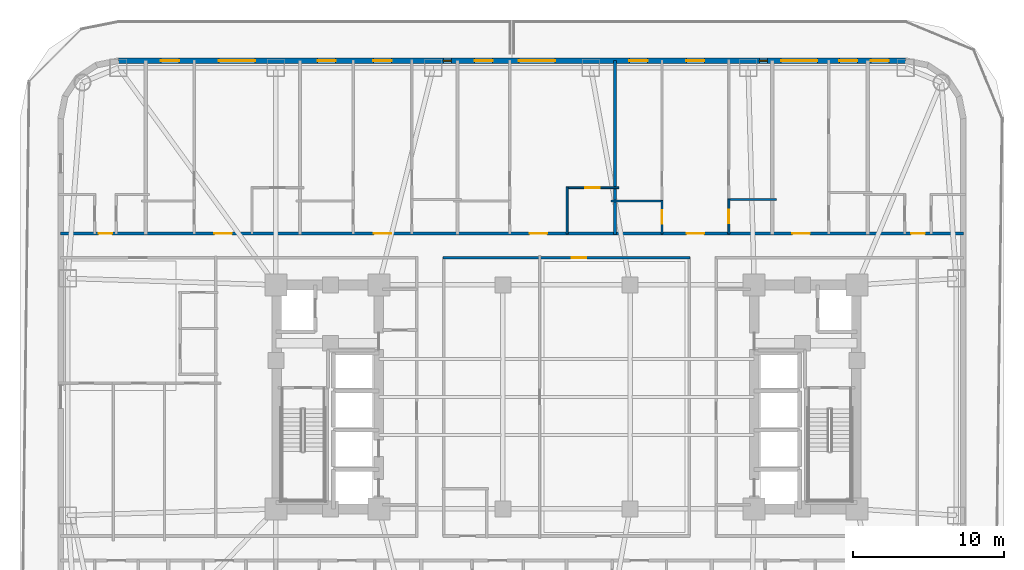
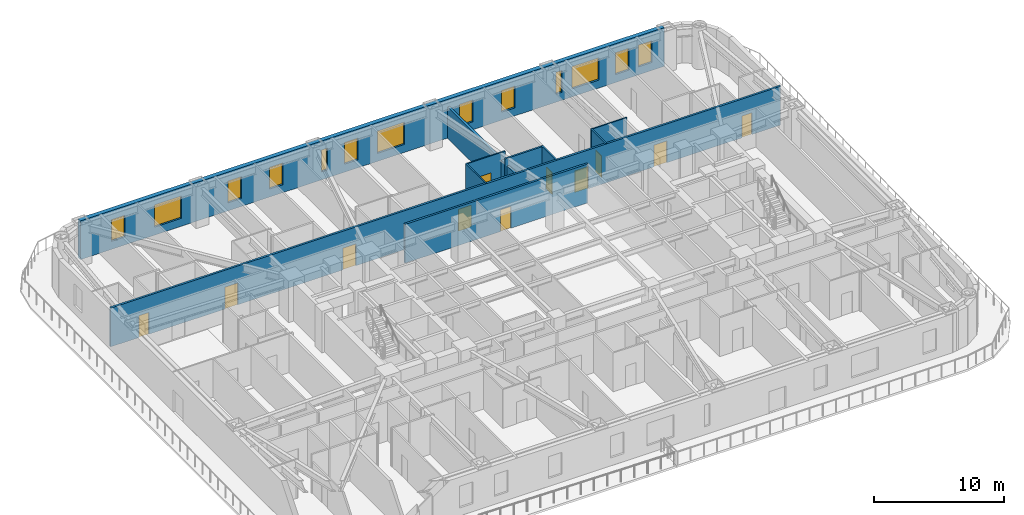
# One storey, part 8 of 14: 13 windows, 11 doors, 10 walls, 24 openings.
"""IFC4 building model written with IfcOpenShell, lengths in metres."""

import ifcopenshell
import ifcopenshell.guid

model = None  # the IFC model being written
_history = None  # IfcOwnerHistory: only IFC2X3 demands one
_inside = {}  # id of a spatial element -> (the spatial element, [elements in it])
_under = {}  # id of a project, library or spatial element -> (it, [spatial elements below it])
_declared = {}  # id of a project -> (the project, [libraries it declares])
_typed = {}  # id of a type object -> (the type object, [elements of that type])
_made_of = {}  # id of a material, layer set ... -> (it, [elements and type objects made of it])


def new_model(schema):
    """Start an empty IFC model of exactly this schema.

    Asked for "IFC4X3", IfcOpenShell would pick the latest addendum, in which some entities
    have other attributes; the version numbers below select the first issue.
    IFC2X3 requires an IfcOwnerHistory on every rooted entity: one is made here for all.
    """
    global model, _history
    if schema == "IFC4X3":
        model = ifcopenshell.file(schema_version=(4, 3, 0, 0))
    else:
        model = ifcopenshell.file(schema=schema)
    _inside.clear()
    _under.clear()
    _declared.clear()
    _typed.clear()
    _made_of.clear()
    _history = None
    if model.schema == "IFC2X3":
        org = make("IfcOrganization", Name="unknown")
        user = make(
            "IfcPersonAndOrganization",
            ThePerson=make("IfcPerson", FamilyName="unknown"),
            TheOrganization=org,
        )
        app = make(
            "IfcApplication",
            ApplicationDeveloper=org,
            Version="unknown",
            ApplicationFullName="unknown",
            ApplicationIdentifier="unknown",
        )
        _history = make(
            "IfcOwnerHistory",
            OwningUser=user,
            OwningApplication=app,
            ChangeAction="ADDED",
            CreationDate=0,
        )
    return model


def make(cls, **values):
    """One entity of the class cls with the attributes given. An attribute that is None is left unset."""
    return model.create_entity(
        cls, **{name: value for name, value in values.items() if value is not None}
    )


def rooted(cls, **values):
    """An entity with a GlobalId (a new one), such as an element, a storey or a relation."""
    return make(cls, GlobalId=ifcopenshell.guid.new(), OwnerHistory=_history, **values)


def si_unit(unit_type, name, prefix=None):
    """IfcSIUnit, for example si_unit("LENGTHUNIT", "METRE", prefix="MILLI")."""
    return make("IfcSIUnit", UnitType=unit_type, Prefix=prefix, Name=name)


def assignment(units):
    """IfcUnitAssignment: the units of a project."""
    return None if units is None else make("IfcUnitAssignment", Units=units)


def point(xyz):
    """IfcCartesianPoint."""
    return None if xyz is None else make("IfcCartesianPoint", Coordinates=xyz)


def direction(xyz):
    """IfcDirection."""
    return None if xyz is None else make("IfcDirection", DirectionRatios=xyz)


def frame(location, z_axis=None, x_axis=None):
    """IfcAxis2Placement3D, a coordinate frame: its origin and axes. An axis left out is left unset."""
    return make(
        "IfcAxis2Placement3D",
        Location=point(location),
        Axis=direction(z_axis),
        RefDirection=direction(x_axis),
    )


def frame_2d(location, x_axis=None):
    """IfcAxis2Placement2D, a coordinate frame in the plane: its origin and x axis."""
    return make(
        "IfcAxis2Placement2D", Location=point(location), RefDirection=direction(x_axis)
    )


def origin():
    """The frame at (0, 0, 0) with its axes left unset."""
    return frame((0.0, 0.0, 0.0))


def place(relative_to, where):
    """IfcLocalPlacement: puts the frame where relative to a parent placement (None: the world)."""
    return make(
        "IfcLocalPlacement", PlacementRelTo=relative_to, RelativePlacement=where
    )


def context(
    kind, dimensions, precision=None, world=None, true_north=None, identifier=None
):
    """IfcGeometricRepresentationContext, for example the 3D "Model" context."""
    return make(
        "IfcGeometricRepresentationContext",
        ContextIdentifier=identifier,
        ContextType=kind,
        CoordinateSpaceDimension=dimensions,
        Precision=precision,
        WorldCoordinateSystem=world,
        TrueNorth=true_north,
    )


def subcontext(parent, identifier, kind, view, scale=None):
    """IfcGeometricRepresentationSubContext, for example "Body" below "Model"."""
    return make(
        "IfcGeometricRepresentationSubContext",
        ContextIdentifier=identifier,
        ContextType=kind,
        ParentContext=parent,
        TargetScale=scale,
        TargetView=view,
    )


def project(units=None, contexts=None):
    """IfcProject with its units and contexts."""
    return rooted(
        "IfcProject",
        Name="project",
        RepresentationContexts=contexts,
        UnitsInContext=assignment(units),
    )


def spatial(cls, under=None, at=None, **own):
    """A site, building, storey or space (cls), placed at a placement, below another one or the project."""
    s = rooted(cls, ObjectPlacement=at, **own)
    if under is not None:
        _under.setdefault(under.id(), (under, []))[1].append(s)
    return s


def profile(cls, at=None, kind="AREA", **sizes):
    """A parametric profile (cls). Its sizes go by their IFC names, for example OverallWidth=200.0."""
    return make(cls, ProfileType=kind, Position=at, **sizes)


def rectangle(**sizes):
    """IfcRectangleProfileDef."""
    return profile("IfcRectangleProfileDef", **sizes)


def extrude(swept, where, along, depth):
    """IfcExtrudedAreaSolid: the profile swept, set in the frame where, extruded along a direction by depth."""
    return make(
        "IfcExtrudedAreaSolid",
        SweptArea=swept,
        Position=where,
        ExtrudedDirection=direction(along),
        Depth=depth,
    )


def shape(context_of_items, identifier, shape_type, items):
    """IfcShapeRepresentation: the items that make up one representation, for example the "Body"."""
    return make(
        "IfcShapeRepresentation",
        ContextOfItems=context_of_items,
        RepresentationIdentifier=identifier,
        RepresentationType=shape_type,
        Items=items,
    )


def material(Name=None, Category=None):
    """IfcMaterial."""
    return make("IfcMaterial", Name=Name, Category=Category)


def layer(
    of_material, thickness, ventilated=None, Name=None, Category=None, Priority=None
):
    """IfcMaterialLayer: one layer of a wall or slab, of a material (None: an air gap)."""
    return make(
        "IfcMaterialLayer",
        Material=of_material,
        LayerThickness=thickness,
        IsVentilated=ventilated,
        Name=Name,
        Category=Category,
        Priority=Priority,
    )


def layer_set(layers, Name=None):
    """IfcMaterialLayerSet."""
    return make("IfcMaterialLayerSet", MaterialLayers=layers, LayerSetName=Name)


def made_of(thing, what):
    """Note that an element or type object is made of a material, layer set ...; save() writes the relation."""
    if what is not None:
        _made_of.setdefault(what.id(), (what, []))[1].append(thing)
    return thing


def type_object(cls, material=None, **own):
    """A type object (cls), such as IfcWallType, which elements share."""
    return made_of(rooted(cls, **own), material)


def element(
    cls,
    number,
    at=None,
    inside=None,
    cuts=None,
    type_object=None,
    material=None,
    context=None,
    identifier="Body",
    shape_type=None,
    held_by="IfcProductDefinitionShape",
    body=None,
    shapes=None,
    **own,
):
    """One element of the class cls, such as IfcWall. Its Tag is "e" and its number.

    at: its placement. inside: the storey or other place that contains it. cuts: it is an
    opening in that element (IfcRelVoidsElement). A single representation is given by context,
    identifier, shape_type and body (its items); several are given by shapes. held_by: the class
    of the entity that holds the representations. save() writes the other relations.
    """
    e = rooted(cls, Tag="e%d" % number, ObjectPlacement=at, **own)
    if body is not None:
        shapes = [shape(context, identifier, shape_type, body)]
    if shapes is not None:
        e.Representation = make(held_by, Representations=shapes)
    if inside is not None:
        _inside.setdefault(inside.id(), (inside, []))[1].append(e)
    if cuts is not None:
        rooted(
            "IfcRelVoidsElement", RelatingBuildingElement=cuts, RelatedOpeningElement=e
        )
    if type_object is not None:
        _typed.setdefault(type_object.id(), (type_object, []))[1].append(e)
    return made_of(e, material)


def fill(opening, filler):
    """IfcRelFillsElement: the door or window that sits in an opening."""
    return rooted(
        "IfcRelFillsElement",
        RelatingOpeningElement=opening,
        RelatedBuildingElement=filler,
    )


def aggregate(whole, parts):
    """IfcRelAggregates: a whole, such as a stair, and the parts it consists of."""
    return rooted("IfcRelAggregates", RelatingObject=whole, RelatedObjects=parts)


def save(model, path):
    """Write the relations noted so far, then the file.

    IfcRelAggregates (storeys below a building ...), IfcRelContainedInSpatialStructure (elements
    in a storey), IfcRelDefinesByType, IfcRelAssociatesMaterial and IfcRelDeclares: one each for
    every whole, place, type object, material and project.
    """
    for whole, parts in _under.values():
        aggregate(whole, parts)
    for where, things in _inside.values():
        rooted(
            "IfcRelContainedInSpatialStructure",
            RelatedElements=things,
            RelatingStructure=where,
        )
    for kind, things in _typed.values():
        rooted("IfcRelDefinesByType", RelatedObjects=things, RelatingType=kind)
    for what, things in _made_of.values():
        rooted("IfcRelAssociatesMaterial", RelatedObjects=things, RelatingMaterial=what)
    for by, libraries in _declared.values():
        rooted("IfcRelDeclares", RelatingContext=by, RelatedDefinitions=libraries)
    model.write(path)


model = new_model("IFC4")

# Units and contexts
model_context = context("Model", 3, precision=1e-05, world=origin(), true_north=direction((0.0, 1.0)))
body_context = subcontext(model_context, "Body", "Model", "MODEL_VIEW")
ifc_project = project(units=[si_unit("LENGTHUNIT", "METRE"), si_unit("AREAUNIT", "SQUARE_METRE"), si_unit("VOLUMEUNIT", "CUBIC_METRE"), si_unit("PLANEANGLEUNIT", "RADIAN"), si_unit("MASSUNIT", "GRAM", prefix="KILO")], contexts=[model_context])

# Site, building, storey
site_placement = place(None, origin())
site = spatial("IfcSite", under=ifc_project, at=site_placement, CompositionType="ELEMENT")
building_placement = place(site_placement, origin())
building = spatial("IfcBuilding", under=site, at=building_placement, Name="Voryun Gate Residences", CompositionType="ELEMENT")
storey_placement = place(building_placement, frame((0.0, 0.0, 53.300048828125)))
storey = spatial("IfcBuildingStorey", under=building, at=storey_placement, Name="L12", CompositionType="ELEMENT", Elevation=53.300048828125)

# Wall, opening, door
ifc_material_1 = material(Name="Gypsum acoustic fireboard")
ifc_layer_1 = layer(ifc_material_1, 0.179931640625, Name="W_CORR_RATED_180")
ifc_layer_set_1 = layer_set([ifc_layer_1], Name="Gypsum acoustic fireboard")
wall_type_1 = type_object("IfcWallType", Name="W_CORR_RATED_180", PredefinedType="PARTITIONING", material=ifc_layer_set_1)
wall_1_placement = place(storey_placement, frame((-8.14990234375, 9.18994140625, 0.0), z_axis=(0.0, 0.0, 1.0), x_axis=(1.0, 0.0, 0.0)))
wall_1 = element("IfcWall", 1, at=wall_1_placement, inside=storey, type_object=wall_type_1, Name="Partition wall WP-L12-Z1N", PredefinedType="PARTITIONING", context=body_context, shape_type="SweptSolid", body=[
    extrude(rectangle(XDim=16.2998046875, YDim=0.179931640625, at=frame_2d((8.14990234375, 0.0))), origin(), (0.0, 0.0, 1.0), 3.64990234375),
])
opening_1_placement = place(wall_1_placement, frame((8.489990234375, 0.0, 0.0)))
opening_1 = element("IfcOpeningElement", 2, at=opening_1_placement, cuts=wall_1, Name="Opening D-INT-1", PredefinedType="OPENING", context=body_context, shape_type="SweptSolid", body=[
    extrude(rectangle(XDim=0.949951171875, YDim=2.050048828125, at=frame_2d((0.47509765625, 1.02490234375))), frame((0.0, 0.099853515625, 0.0), z_axis=(0.0, -1.0, 0.0), x_axis=(1.0, 0.0, 0.0)), (0.0, 0.0, 1.0), 0.199951171875),
])
ifc_material_2 = material(Name="Architectural oak veneer")
door_type_1 = type_object("IfcDoorType", Name="DR_INT_ROOM_950", OperationType="NOTDEFINED", PredefinedType="DOOR", material=ifc_material_2)
door_1_placement = place(opening_1_placement, origin())
door_1 = element("IfcDoor", 3, at=door_1_placement, inside=storey, type_object=door_type_1, Name="Door DR-L12-CMIDZ1N", OperationType="SINGLE_SWING_LEFT", OverallHeight=2.050048828125, OverallWidth=0.949951171875, PredefinedType="DOOR", context=body_context, shape_type="SweptSolid", body=[
    extrude(rectangle(XDim=0.949951171875, YDim=2.050048828125, at=frame_2d((0.47509765625, 1.02490234375))), frame((0.0, 0.02490234375, 0.0), z_axis=(0.0, -1.0, 0.0), x_axis=(1.0, 0.0, 0.0)), (0.0, 0.0, 1.0), 0.050048828125),
])
fill(opening_1, door_1)

# Wall, openings, doors
wall_2_placement = place(storey_placement, frame((-33.409912109375, 10.800048828125, 0.0), z_axis=(0.0, 0.0, 1.0), x_axis=(1.0, 0.0, 0.0)))
wall_2 = element("IfcWall", 4, at=wall_2_placement, inside=storey, type_object=wall_type_1, Name="Partition wall WP-L12-NCORR", PredefinedType="PARTITIONING", context=body_context, shape_type="SweptSolid", body=[
    extrude(rectangle(XDim=59.619873046875, YDim=0.179931640625, at=frame_2d((29.81005859375, 0.0))), origin(), (0.0, 0.0, 1.0), 3.64990234375),
])
opening_2_placement = place(wall_2_placement, frame((2.501220703125, 0.0, 0.0)))
opening_2 = element("IfcOpeningElement", 5, at=opening_2_placement, cuts=wall_2, Name="Opening D-INT-2", PredefinedType="OPENING", context=body_context, shape_type="SweptSolid", body=[
    extrude(rectangle(XDim=0.89990234375, YDim=2.050048828125, at=frame_2d((0.449951171875, 1.02490234375))), frame((0.0, 0.099853515625, 0.0), z_axis=(0.0, -1.0, 0.0), x_axis=(1.0, 0.0, 0.0)), (0.0, 0.0, 1.0), 0.199951171875),
])
opening_3_placement = place(wall_2_placement, frame((10.156494140625, 0.0, 0.0)))
opening_3 = element("IfcOpeningElement", 6, at=opening_3_placement, cuts=wall_2, Name="Opening D-UNIT-1", PredefinedType="OPENING", context=body_context, shape_type="SweptSolid", body=[
    extrude(rectangle(XDim=1.14990234375, YDim=2.050048828125, at=frame_2d((0.574951171875, 1.02490234375))), frame((0.0, 0.099853515625, 0.0), z_axis=(0.0, -1.0, 0.0), x_axis=(1.0, 0.0, 0.0)), (0.0, 0.0, 1.0), 0.199951171875),
])
opening_4_placement = place(wall_2_placement, frame((20.685546875, 0.0, 0.0)))
opening_4 = element("IfcOpeningElement", 7, at=opening_4_placement, cuts=wall_2, Name="Opening D-UNIT-1", PredefinedType="OPENING", context=body_context, shape_type="SweptSolid", body=[
    extrude(rectangle(XDim=1.14990234375, YDim=2.050048828125, at=frame_2d((0.574951171875, 1.02490234375))), frame((0.0, 0.099853515625, 0.0), z_axis=(0.0, -1.0, 0.0), x_axis=(1.0, 0.0, 0.0)), (0.0, 0.0, 1.0), 0.199951171875),
])
opening_5_placement = place(wall_2_placement, frame((30.98193359375, 0.0, 0.0)))
opening_5 = element("IfcOpeningElement", 8, at=opening_5_placement, cuts=wall_2, Name="Opening D-UNIT-1", PredefinedType="OPENING", context=body_context, shape_type="SweptSolid", body=[
    extrude(rectangle(XDim=1.14990234375, YDim=2.050048828125, at=frame_2d((0.574951171875, 1.02490234375))), frame((0.0, 0.099853515625, 0.0), z_axis=(0.0, -1.0, 0.0), x_axis=(1.0, 0.0, 0.0)), (0.0, 0.0, 1.0), 0.199951171875),
])
opening_6_placement = place(wall_2_placement, frame((41.349853515625, 0.0, 0.0)))
opening_6 = element("IfcOpeningElement", 9, at=opening_6_placement, cuts=wall_2, Name="Opening D-UNIT-1", PredefinedType="OPENING", context=body_context, shape_type="SweptSolid", body=[
    extrude(rectangle(XDim=1.14990234375, YDim=2.050048828125, at=frame_2d((0.574951171875, 1.02490234375))), frame((0.0, 0.099853515625, 0.0), z_axis=(0.0, -1.0, 0.0), x_axis=(1.0, 0.0, 0.0)), (0.0, 0.0, 1.0), 0.199951171875),
])
opening_7_placement = place(wall_2_placement, frame((48.331298828125, 0.0, 0.0)))
opening_7 = element("IfcOpeningElement", 10, at=opening_7_placement, cuts=wall_2, Name="Opening D-UNIT-1", PredefinedType="OPENING", context=body_context, shape_type="SweptSolid", body=[
    extrude(rectangle(XDim=1.14990234375, YDim=2.050048828125, at=frame_2d((0.574951171875, 1.02490234375))), frame((0.0, 0.099853515625, 0.0), z_axis=(0.0, -1.0, 0.0), x_axis=(1.0, 0.0, 0.0)), (0.0, 0.0, 1.0), 0.199951171875),
])
opening_8_placement = place(wall_2_placement, frame((56.177001953125, 0.0, 0.0)))
opening_8 = element("IfcOpeningElement", 11, at=opening_8_placement, cuts=wall_2, Name="Opening D-INT-2", PredefinedType="OPENING", context=body_context, shape_type="SweptSolid", body=[
    extrude(rectangle(XDim=0.89990234375, YDim=2.050048828125, at=frame_2d((0.449951171875, 1.02490234375))), frame((0.0, 0.099853515625, 0.0), z_axis=(0.0, -1.0, 0.0), x_axis=(1.0, 0.0, 0.0)), (0.0, 0.0, 1.0), 0.199951171875),
])
ifc_material_3 = material(Name="Architectural oak veneer")
door_type_2 = type_object("IfcDoorType", Name="DR_INT_BATH_900", OperationType="NOTDEFINED", PredefinedType="DOOR", material=ifc_material_3)
door_2_placement = place(opening_2_placement, origin())
door_2 = element("IfcDoor", 12, at=door_2_placement, inside=storey, type_object=door_type_2, Name="Door DR-L12-NENT-1", OperationType="SINGLE_SWING_LEFT", OverallHeight=2.050048828125, OverallWidth=0.89990234375, PredefinedType="DOOR", context=body_context, shape_type="SweptSolid", body=[
    extrude(rectangle(XDim=0.89990234375, YDim=2.050048828125, at=frame_2d((0.449951171875, 1.02490234375))), frame((0.0, 0.02490234375, 0.0), z_axis=(0.0, -1.0, 0.0), x_axis=(1.0, 0.0, 0.0)), (0.0, 0.0, 1.0), 0.050048828125),
])
fill(opening_2, door_2)
door_3_placement = place(opening_8_placement, origin())
door_3 = element("IfcDoor", 13, at=door_3_placement, inside=storey, type_object=door_type_2, Name="Door DR-L12-NENT-7", OperationType="SINGLE_SWING_LEFT", OverallHeight=2.050048828125, OverallWidth=0.89990234375, PredefinedType="DOOR", context=body_context, shape_type="SweptSolid", body=[
    extrude(rectangle(XDim=0.89990234375, YDim=2.050048828125, at=frame_2d((0.449951171875, 1.02490234375))), frame((0.0, 0.02490234375, 0.0), z_axis=(0.0, -1.0, 0.0), x_axis=(1.0, 0.0, 0.0)), (0.0, 0.0, 1.0), 0.050048828125),
])
fill(opening_8, door_3)
ifc_material_4 = material(Name="Armoured timber-clad fire door", Category="wood")
door_type_3 = type_object("IfcDoorType", Name="DR_UNIT_ENTRY_1150", OperationType="NOTDEFINED", PredefinedType="DOOR", material=ifc_material_4)
door_4_placement = place(opening_3_placement, origin())
door_4 = element("IfcDoor", 14, at=door_4_placement, inside=storey, type_object=door_type_3, Name="Door DR-L12-NENT-2", OperationType="SINGLE_SWING_RIGHT", OverallHeight=2.050048828125, OverallWidth=1.14990234375, PredefinedType="DOOR", context=body_context, shape_type="SweptSolid", body=[
    extrude(rectangle(XDim=1.14990234375, YDim=2.050048828125, at=frame_2d((0.574951171875, 1.02490234375))), frame((0.0, 0.02490234375, 0.0), z_axis=(0.0, -1.0, 0.0), x_axis=(1.0, 0.0, 0.0)), (0.0, 0.0, 1.0), 0.050048828125),
])
fill(opening_3, door_4)
door_5_placement = place(opening_4_placement, origin())
door_5 = element("IfcDoor", 15, at=door_5_placement, inside=storey, type_object=door_type_3, Name="Door DR-L12-NENT-3", OperationType="SINGLE_SWING_LEFT", OverallHeight=2.050048828125, OverallWidth=1.14990234375, PredefinedType="DOOR", context=body_context, shape_type="SweptSolid", body=[
    extrude(rectangle(XDim=1.14990234375, YDim=2.050048828125, at=frame_2d((0.574951171875, 1.02490234375))), frame((0.0, 0.02490234375, 0.0), z_axis=(0.0, -1.0, 0.0), x_axis=(1.0, 0.0, 0.0)), (0.0, 0.0, 1.0), 0.050048828125),
])
fill(opening_4, door_5)
door_6_placement = place(opening_5_placement, origin())
door_6 = element("IfcDoor", 16, at=door_6_placement, inside=storey, type_object=door_type_3, Name="Door DR-L12-NENT-4", OperationType="SINGLE_SWING_RIGHT", OverallHeight=2.050048828125, OverallWidth=1.14990234375, PredefinedType="DOOR", context=body_context, shape_type="SweptSolid", body=[
    extrude(rectangle(XDim=1.14990234375, YDim=2.050048828125, at=frame_2d((0.574951171875, 1.02490234375))), frame((0.0, 0.02490234375, 0.0), z_axis=(0.0, -1.0, 0.0), x_axis=(1.0, 0.0, 0.0)), (0.0, 0.0, 1.0), 0.050048828125),
])
fill(opening_5, door_6)
door_7_placement = place(opening_6_placement, origin())
door_7 = element("IfcDoor", 17, at=door_7_placement, inside=storey, type_object=door_type_3, Name="Door DR-L12-NENT-5", OperationType="SINGLE_SWING_LEFT", OverallHeight=2.050048828125, OverallWidth=1.14990234375, PredefinedType="DOOR", context=body_context, shape_type="SweptSolid", body=[
    extrude(rectangle(XDim=1.14990234375, YDim=2.050048828125, at=frame_2d((0.574951171875, 1.02490234375))), frame((0.0, 0.02490234375, 0.0), z_axis=(0.0, -1.0, 0.0), x_axis=(1.0, 0.0, 0.0)), (0.0, 0.0, 1.0), 0.050048828125),
])
fill(opening_6, door_7)
door_8_placement = place(opening_7_placement, origin())
door_8 = element("IfcDoor", 18, at=door_8_placement, inside=storey, type_object=door_type_3, Name="Door DR-L12-NENT-6", OperationType="SINGLE_SWING_RIGHT", OverallHeight=2.050048828125, OverallWidth=1.14990234375, PredefinedType="DOOR", context=body_context, shape_type="SweptSolid", body=[
    extrude(rectangle(XDim=1.14990234375, YDim=2.050048828125, at=frame_2d((0.574951171875, 1.02490234375))), frame((0.0, 0.02490234375, 0.0), z_axis=(0.0, -1.0, 0.0), x_axis=(1.0, 0.0, 0.0)), (0.0, 0.0, 1.0), 0.050048828125),
])
fill(opening_7, door_8)

# Wall, openings, windows
ifc_material_5 = material(Name="Granite masonry", Category="masonry")
ifc_layer_2 = layer(ifc_material_5, 0.3798828125, Name="W_EXT_GRANITE_380")
ifc_layer_set_2 = layer_set([ifc_layer_2], Name="Granite masonry")
wall_type_2 = type_object("IfcWallType", Name="W_EXT_GRANITE_380", PredefinedType="ELEMENTEDWALL", material=ifc_layer_set_2)
wall_3_placement = place(storey_placement, frame((-29.581298828125, 22.2099609375, 0.0), z_axis=(0.0, 0.0, 1.0), x_axis=(1.0, 0.0, 0.0)))
wall_3 = element("IfcWall", 19, at=wall_3_placement, inside=storey, type_object=wall_type_2, Name="Exterior wall WEXT-L12-11", PredefinedType="ELEMENTEDWALL", context=body_context, shape_type="SweptSolid", body=[
    extrude(rectangle(XDim=51.962646484375, YDim=0.3798828125, at=frame_2d((25.9814453125, 0.0))), origin(), (0.0, 0.0, 1.0), 3.64990234375),
])
opening_9_placement = place(wall_3_placement, frame((6.6103515625, 0.0, 0.75)))
opening_9 = element("IfcOpeningElement", 20, at=opening_9_placement, cuts=wall_3, Name="Opening WN2", PredefinedType="OPENING", context=body_context, shape_type="SweptSolid", body=[
    extrude(rectangle(XDim=2.39990234375, YDim=2.10009765625, at=frame_2d((1.199951171875, 1.050048828125))), frame((0.0, 0.199951171875, 0.0), z_axis=(0.0, -1.0, 0.0), x_axis=(1.0, 0.0, 0.0)), (0.0, 0.0, 1.0), 0.39990234375),
])
opening_10_placement = place(wall_3_placement, frame((26.431396484375, 0.0, 0.75)))
opening_10 = element("IfcOpeningElement", 21, at=opening_10_placement, cuts=wall_3, Name="Opening WN2", PredefinedType="OPENING", context=body_context, shape_type="SweptSolid", body=[
    extrude(rectangle(XDim=2.39990234375, YDim=2.10009765625, at=frame_2d((1.199951171875, 1.050048828125))), frame((0.0, 0.199951171875, 0.0), z_axis=(0.0, -1.0, 0.0), x_axis=(1.0, 0.0, 0.0)), (0.0, 0.0, 1.0), 0.39990234375),
])
opening_11_placement = place(wall_3_placement, frame((43.752197265625, 0.0, 0.75)))
opening_11 = element("IfcOpeningElement", 22, at=opening_11_placement, cuts=wall_3, Name="Opening WN2", PredefinedType="OPENING", context=body_context, shape_type="SweptSolid", body=[
    extrude(rectangle(XDim=2.39990234375, YDim=2.10009765625, at=frame_2d((1.199951171875, 1.050048828125))), frame((0.0, 0.199951171875, 0.0), z_axis=(0.0, -1.0, 0.0), x_axis=(1.0, 0.0, 0.0)), (0.0, 0.0, 1.0), 0.39990234375),
])
opening_12_placement = place(wall_3_placement, frame((2.788818359375, 0.0, 0.75)))
opening_12 = element("IfcOpeningElement", 23, at=opening_12_placement, cuts=wall_3, Name="Opening WN6", PredefinedType="OPENING", context=body_context, shape_type="SweptSolid", body=[
    extrude(rectangle(XDim=1.199951171875, YDim=2.050048828125, at=frame_2d((0.60009765625, 1.02490234375))), frame((0.0, 0.199951171875, 0.0), z_axis=(0.0, -1.0, 0.0), x_axis=(1.0, 0.0, 0.0)), (0.0, 0.0, 1.0), 0.39990234375),
])
opening_13_placement = place(wall_3_placement, frame((16.831298828125, 0.0, 0.75)))
opening_13 = element("IfcOpeningElement", 24, at=opening_13_placement, cuts=wall_3, Name="Opening WN6", PredefinedType="OPENING", context=body_context, shape_type="SweptSolid", body=[
    extrude(rectangle(XDim=1.199951171875, YDim=2.050048828125, at=frame_2d((0.60009765625, 1.02490234375))), frame((0.0, 0.199951171875, 0.0), z_axis=(0.0, -1.0, 0.0), x_axis=(1.0, 0.0, 0.0)), (0.0, 0.0, 1.0), 0.39990234375),
])
opening_14_placement = place(wall_3_placement, frame((13.13623046875, 0.0, 0.75)))
opening_14 = element("IfcOpeningElement", 25, at=opening_14_placement, cuts=wall_3, Name="Opening WN6", PredefinedType="OPENING", context=body_context, shape_type="SweptSolid", body=[
    extrude(rectangle(XDim=1.199951171875, YDim=2.050048828125, at=frame_2d((0.60009765625, 1.02490234375))), frame((0.0, 0.199951171875, 0.0), z_axis=(0.0, -1.0, 0.0), x_axis=(1.0, 0.0, 0.0)), (0.0, 0.0, 1.0), 0.39990234375),
])
opening_15_placement = place(wall_3_placement, frame((21.456298828125, 0.0, 0.75)))
opening_15 = element("IfcOpeningElement", 26, at=opening_15_placement, cuts=wall_3, Name="Opening WN10", PredefinedType="OPENING", context=body_context, shape_type="SweptSolid", body=[
    extrude(rectangle(XDim=0.52001953125, YDim=2.050048828125, at=frame_2d((0.260009765625, 1.02490234375))), frame((0.0, 0.199951171875, 0.0), z_axis=(0.0, -1.0, 0.0), x_axis=(1.0, 0.0, 0.0)), (0.0, 0.0, 1.0), 0.39990234375),
])
opening_16_placement = place(wall_3_placement, frame((23.50732421875, 0.0, 0.75)))
opening_16 = element("IfcOpeningElement", 27, at=opening_16_placement, cuts=wall_3, Name="Opening WN6", PredefinedType="OPENING", context=body_context, shape_type="SweptSolid", body=[
    extrude(rectangle(XDim=1.199951171875, YDim=2.050048828125, at=frame_2d((0.60009765625, 1.02490234375))), frame((0.0, 0.199951171875, 0.0), z_axis=(0.0, -1.0, 0.0), x_axis=(1.0, 0.0, 0.0)), (0.0, 0.0, 1.0), 0.39990234375),
])
opening_17_placement = place(wall_3_placement, frame((37.494384765625, 0.0, 0.75)))
opening_17 = element("IfcOpeningElement", 28, at=opening_17_placement, cuts=wall_3, Name="Opening WN6", PredefinedType="OPENING", context=body_context, shape_type="SweptSolid", body=[
    extrude(rectangle(XDim=1.199951171875, YDim=2.050048828125, at=frame_2d((0.60009765625, 1.02490234375))), frame((0.0, 0.199951171875, 0.0), z_axis=(0.0, -1.0, 0.0), x_axis=(1.0, 0.0, 0.0)), (0.0, 0.0, 1.0), 0.39990234375),
])
opening_18_placement = place(wall_3_placement, frame((33.73291015625, 0.0, 0.75)))
opening_18 = element("IfcOpeningElement", 29, at=opening_18_placement, cuts=wall_3, Name="Opening WN6", PredefinedType="OPENING", context=body_context, shape_type="SweptSolid", body=[
    extrude(rectangle(XDim=1.199951171875, YDim=2.050048828125, at=frame_2d((0.60009765625, 1.02490234375))), frame((0.0, 0.199951171875, 0.0), z_axis=(0.0, -1.0, 0.0), x_axis=(1.0, 0.0, 0.0)), (0.0, 0.0, 1.0), 0.39990234375),
])
opening_19_placement = place(wall_3_placement, frame((42.32275390625, 0.0, 0.75)))
opening_19 = element("IfcOpeningElement", 30, at=opening_19_placement, cuts=wall_3, Name="Opening WN10", PredefinedType="OPENING", context=body_context, shape_type="SweptSolid", body=[
    extrude(rectangle(XDim=0.52001953125, YDim=2.050048828125, at=frame_2d((0.260009765625, 1.02490234375))), frame((0.0, 0.199951171875, 0.0), z_axis=(0.0, -1.0, 0.0), x_axis=(1.0, 0.0, 0.0)), (0.0, 0.0, 1.0), 0.39990234375),
])
opening_20_placement = place(wall_3_placement, frame((47.600830078125, 0.0, 0.75)))
opening_20 = element("IfcOpeningElement", 31, at=opening_20_placement, cuts=wall_3, Name="Opening WN6", PredefinedType="OPENING", context=body_context, shape_type="SweptSolid", body=[
    extrude(rectangle(XDim=1.199951171875, YDim=2.050048828125, at=frame_2d((0.60009765625, 1.02490234375))), frame((0.0, 0.199951171875, 0.0), z_axis=(0.0, -1.0, 0.0), x_axis=(1.0, 0.0, 0.0)), (0.0, 0.0, 1.0), 0.39990234375),
])
opening_21_placement = place(wall_3_placement, frame((49.681396484375, 0.0, 0.75)))
opening_21 = element("IfcOpeningElement", 32, at=opening_21_placement, cuts=wall_3, Name="Opening WN6", PredefinedType="OPENING", context=body_context, shape_type="SweptSolid", body=[
    extrude(rectangle(XDim=1.199951171875, YDim=2.050048828125, at=frame_2d((0.60009765625, 1.02490234375))), frame((0.0, 0.199951171875, 0.0), z_axis=(0.0, -1.0, 0.0), x_axis=(1.0, 0.0, 0.0)), (0.0, 0.0, 1.0), 0.39990234375),
])
ifc_material_6 = material(Name="Laminated low-E glass", Category="glass")
window_type_1 = type_object("IfcWindowType", Name="WN_PAGODA_LANCET_520", PartitioningType="SINGLE_PANEL", PredefinedType="WINDOW", material=ifc_material_6)
window_1_placement = place(opening_15_placement, origin())
window_1 = element("IfcWindow", 33, at=window_1_placement, inside=storey, type_object=window_type_1, Name="Window WN-L12-DWFIX-05", OverallHeight=2.050048828125, OverallWidth=0.52001953125, PartitioningType="SINGLE_PANEL", PredefinedType="WINDOW", context=body_context, shape_type="SweptSolid", body=[
    extrude(rectangle(XDim=0.52001953125, YDim=2.050048828125, at=frame_2d((0.260009765625, 1.02490234375))), frame((0.0, 0.030029296875, 0.0), z_axis=(0.0, -1.0, 0.0), x_axis=(1.0, 0.0, 0.0)), (0.0, 0.0, 1.0), 0.06005859375),
])
fill(opening_15, window_1)
window_2_placement = place(opening_19_placement, origin())
window_2 = element("IfcWindow", 34, at=window_2_placement, inside=storey, type_object=window_type_1, Name="Window WN-L12-DWFIX-09", OverallHeight=2.050048828125, OverallWidth=0.52001953125, PartitioningType="SINGLE_PANEL", PredefinedType="WINDOW", context=body_context, shape_type="SweptSolid", body=[
    extrude(rectangle(XDim=0.52001953125, YDim=2.050048828125, at=frame_2d((0.260009765625, 1.02490234375))), frame((0.0, 0.030029296875, 0.0), z_axis=(0.0, -1.0, 0.0), x_axis=(1.0, 0.0, 0.0)), (0.0, 0.0, 1.0), 0.06005859375),
])
fill(opening_19, window_2)
ifc_material_7 = material(Name="Laminated low-E glass", Category="glass")
window_type_2 = type_object("IfcWindowType", Name="WN_POD_SLOT_1200", PartitioningType="SINGLE_PANEL", PredefinedType="WINDOW", material=ifc_material_7)
window_3_placement = place(opening_12_placement, origin())
window_3 = element("IfcWindow", 35, at=window_3_placement, inside=storey, type_object=window_type_2, Name="Window WN-L12-DWFIX-02", OverallHeight=2.050048828125, OverallWidth=1.199951171875, PartitioningType="SINGLE_PANEL", PredefinedType="WINDOW", context=body_context, shape_type="SweptSolid", body=[
    extrude(rectangle(XDim=1.199951171875, YDim=2.050048828125, at=frame_2d((0.60009765625, 1.02490234375))), frame((0.0, 0.030029296875, 0.0), z_axis=(0.0, -1.0, 0.0), x_axis=(1.0, 0.0, 0.0)), (0.0, 0.0, 1.0), 0.06005859375),
])
fill(opening_12, window_3)
window_4_placement = place(opening_13_placement, origin())
window_4 = element("IfcWindow", 36, at=window_4_placement, inside=storey, type_object=window_type_2, Name="Window WN-L12-DWFIX-03", OverallHeight=2.050048828125, OverallWidth=1.199951171875, PartitioningType="SINGLE_PANEL", PredefinedType="WINDOW", context=body_context, shape_type="SweptSolid", body=[
    extrude(rectangle(XDim=1.199951171875, YDim=2.050048828125, at=frame_2d((0.60009765625, 1.02490234375))), frame((0.0, 0.030029296875, 0.0), z_axis=(0.0, -1.0, 0.0), x_axis=(1.0, 0.0, 0.0)), (0.0, 0.0, 1.0), 0.06005859375),
])
fill(opening_13, window_4)
window_5_placement = place(opening_14_placement, origin())
window_5 = element("IfcWindow", 37, at=window_5_placement, inside=storey, type_object=window_type_2, Name="Window WN-L12-DWFIX-04", OverallHeight=2.050048828125, OverallWidth=1.199951171875, PartitioningType="SINGLE_PANEL", PredefinedType="WINDOW", context=body_context, shape_type="SweptSolid", body=[
    extrude(rectangle(XDim=1.199951171875, YDim=2.050048828125, at=frame_2d((0.60009765625, 1.02490234375))), frame((0.0, 0.030029296875, 0.0), z_axis=(0.0, -1.0, 0.0), x_axis=(1.0, 0.0, 0.0)), (0.0, 0.0, 1.0), 0.06005859375),
])
fill(opening_14, window_5)
window_6_placement = place(opening_16_placement, origin())
window_6 = element("IfcWindow", 38, at=window_6_placement, inside=storey, type_object=window_type_2, Name="Window WN-L12-DWFIX-06", OverallHeight=2.050048828125, OverallWidth=1.199951171875, PartitioningType="SINGLE_PANEL", PredefinedType="WINDOW", context=body_context, shape_type="SweptSolid", body=[
    extrude(rectangle(XDim=1.199951171875, YDim=2.050048828125, at=frame_2d((0.60009765625, 1.02490234375))), frame((0.0, 0.030029296875, 0.0), z_axis=(0.0, -1.0, 0.0), x_axis=(1.0, 0.0, 0.0)), (0.0, 0.0, 1.0), 0.06005859375),
])
fill(opening_16, window_6)
window_7_placement = place(opening_17_placement, origin())
window_7 = element("IfcWindow", 39, at=window_7_placement, inside=storey, type_object=window_type_2, Name="Window WN-L12-DWFIX-07", OverallHeight=2.050048828125, OverallWidth=1.199951171875, PartitioningType="SINGLE_PANEL", PredefinedType="WINDOW", context=body_context, shape_type="SweptSolid", body=[
    extrude(rectangle(XDim=1.199951171875, YDim=2.050048828125, at=frame_2d((0.60009765625, 1.02490234375))), frame((0.0, 0.030029296875, 0.0), z_axis=(0.0, -1.0, 0.0), x_axis=(1.0, 0.0, 0.0)), (0.0, 0.0, 1.0), 0.06005859375),
])
fill(opening_17, window_7)
window_8_placement = place(opening_18_placement, origin())
window_8 = element("IfcWindow", 40, at=window_8_placement, inside=storey, type_object=window_type_2, Name="Window WN-L12-DWFIX-08", OverallHeight=2.050048828125, OverallWidth=1.199951171875, PartitioningType="SINGLE_PANEL", PredefinedType="WINDOW", context=body_context, shape_type="SweptSolid", body=[
    extrude(rectangle(XDim=1.199951171875, YDim=2.050048828125, at=frame_2d((0.60009765625, 1.02490234375))), frame((0.0, 0.030029296875, 0.0), z_axis=(0.0, -1.0, 0.0), x_axis=(1.0, 0.0, 0.0)), (0.0, 0.0, 1.0), 0.06005859375),
])
fill(opening_18, window_8)
window_9_placement = place(opening_20_placement, origin())
window_9 = element("IfcWindow", 41, at=window_9_placement, inside=storey, type_object=window_type_2, Name="Window WN-L12-DWFIX-10", OverallHeight=2.050048828125, OverallWidth=1.199951171875, PartitioningType="SINGLE_PANEL", PredefinedType="WINDOW", context=body_context, shape_type="SweptSolid", body=[
    extrude(rectangle(XDim=1.199951171875, YDim=2.050048828125, at=frame_2d((0.60009765625, 1.02490234375))), frame((0.0, 0.030029296875, 0.0), z_axis=(0.0, -1.0, 0.0), x_axis=(1.0, 0.0, 0.0)), (0.0, 0.0, 1.0), 0.06005859375),
])
fill(opening_20, window_9)
window_10_placement = place(opening_21_placement, origin())
window_10 = element("IfcWindow", 42, at=window_10_placement, inside=storey, type_object=window_type_2, Name="Window WN-L12-DWFIX-11", OverallHeight=2.050048828125, OverallWidth=1.199951171875, PartitioningType="SINGLE_PANEL", PredefinedType="WINDOW", context=body_context, shape_type="SweptSolid", body=[
    extrude(rectangle(XDim=1.199951171875, YDim=2.050048828125, at=frame_2d((0.60009765625, 1.02490234375))), frame((0.0, 0.030029296875, 0.0), z_axis=(0.0, -1.0, 0.0), x_axis=(1.0, 0.0, 0.0)), (0.0, 0.0, 1.0), 0.06005859375),
])
fill(opening_21, window_10)
ifc_material_8 = material(Name="Laminated low-E glass", Category="glass")
window_type_3 = type_object("IfcWindowType", Name="WN_RES_WIDE_2400", PartitioningType="SINGLE_PANEL", PredefinedType="WINDOW", material=ifc_material_8)
window_11_placement = place(opening_9_placement, origin())
window_11 = element("IfcWindow", 43, at=window_11_placement, inside=storey, type_object=window_type_3, Name="Window WN-WEXT-L12-11-01", OverallHeight=2.10009765625, OverallWidth=2.39990234375, PartitioningType="SINGLE_PANEL", PredefinedType="WINDOW", context=body_context, shape_type="SweptSolid", body=[
    extrude(rectangle(XDim=2.39990234375, YDim=2.10009765625, at=frame_2d((1.199951171875, 1.050048828125))), frame((0.0, 0.030029296875, 0.0), z_axis=(0.0, -1.0, 0.0), x_axis=(1.0, 0.0, 0.0)), (0.0, 0.0, 1.0), 0.06005859375),
])
fill(opening_9, window_11)
window_12_placement = place(opening_10_placement, origin())
window_12 = element("IfcWindow", 44, at=window_12_placement, inside=storey, type_object=window_type_3, Name="Window WN-WEXT-L12-11-02", OverallHeight=2.10009765625, OverallWidth=2.39990234375, PartitioningType="SINGLE_PANEL", PredefinedType="WINDOW", context=body_context, shape_type="SweptSolid", body=[
    extrude(rectangle(XDim=2.39990234375, YDim=2.10009765625, at=frame_2d((1.199951171875, 1.050048828125))), frame((0.0, 0.030029296875, 0.0), z_axis=(0.0, -1.0, 0.0), x_axis=(1.0, 0.0, 0.0)), (0.0, 0.0, 1.0), 0.06005859375),
])
fill(opening_10, window_12)
window_13_placement = place(opening_11_placement, origin())
window_13 = element("IfcWindow", 45, at=window_13_placement, inside=storey, type_object=window_type_3, Name="Window WN-WEXT-L12-11-03", OverallHeight=2.10009765625, OverallWidth=2.39990234375, PartitioningType="SINGLE_PANEL", PredefinedType="WINDOW", context=body_context, shape_type="SweptSolid", body=[
    extrude(rectangle(XDim=2.39990234375, YDim=2.10009765625, at=frame_2d((1.199951171875, 1.050048828125))), frame((0.0, 0.030029296875, 0.0), z_axis=(0.0, -1.0, 0.0), x_axis=(1.0, 0.0, 0.0)), (0.0, 0.0, 1.0), 0.06005859375),
])
fill(opening_11, window_13)

# Wall
ifc_material_9 = material(Name="Concrete C40/50", Category="concrete")
ifc_layer_3 = layer(ifc_material_9, 0.219970703125, Name="W_PARTY_ACOUSTIC_220")
ifc_layer_set_3 = layer_set([ifc_layer_3], Name="Concrete C40/50")
wall_type_3 = type_object("IfcWallType", Name="W_PARTY_ACOUSTIC_220", PredefinedType="PARTITIONING", material=ifc_layer_set_3)
wall_4_placement = place(storey_placement, frame((3.199951171875, 10.719970703125, 0.0), z_axis=(0.0, 0.0, 1.0), x_axis=(0.0, 1.0, 0.0)))
element("IfcWall", 46, at=wall_4_placement, inside=storey, type_object=wall_type_3, Name="Partition wall WP-L12-NPTY-4", PredefinedType="PARTITIONING", context=body_context, shape_type="SweptSolid", body=[
    extrude(rectangle(XDim=11.489990234375, YDim=0.219970703125, at=frame_2d((5.7451171875, 0.0))), origin(), (0.0, 0.0, 1.0), 2.93994140625),
])

# Wall, opening, door
ifc_material_10 = material(Name="Gypsum acoustic partition")
ifc_layer_4 = layer(ifc_material_10, 0.125, Name="W_UNIT_PART_125")
ifc_layer_set_4 = layer_set([ifc_layer_4], Name="Gypsum acoustic partition")
wall_type_4 = type_object("IfcWallType", Name="W_UNIT_PART_125", PredefinedType="PARTITIONING", material=ifc_layer_set_4)
wall_5_placement = place(storey_placement, frame((-0.02001953125, 13.820068359375, 0.0), z_axis=(0.0, 0.0, 1.0), x_axis=(1.0, 0.0, 0.0)))
wall_5 = element("IfcWall", 47, at=wall_5_placement, inside=storey, type_object=wall_type_4, Name="Partition wall WP-L12-N4-KHY", PredefinedType="PARTITIONING", context=body_context, shape_type="SweptSolid", body=[
    extrude(rectangle(XDim=3.47998046875, YDim=0.125, at=frame_2d((1.739990234375, 0.0))), origin(), (0.0, 0.0, 1.0), 3.64990234375),
])
opening_22_placement = place(wall_5_placement, frame((1.264892578125, 0.0, 0.0)))
opening_22 = element("IfcOpeningElement", 48, at=opening_22_placement, cuts=wall_5, Name="Opening D-INT-1", PredefinedType="OPENING", context=body_context, shape_type="SweptSolid", body=[
    extrude(rectangle(XDim=0.949951171875, YDim=2.050048828125, at=frame_2d((0.47509765625, 1.02490234375))), frame((0.0, 0.072509765625, 0.0), z_axis=(0.0, -1.0, 0.0), x_axis=(1.0, 0.0, 0.0)), (0.0, 0.0, 1.0), 0.14501953125),
])
door_9_placement = place(opening_22_placement, origin())
door_9 = element("IfcDoor", 49, at=door_9_placement, inside=storey, type_object=door_type_1, Name="Door DR-L12-N4-DK", OperationType="SINGLE_SWING_LEFT", OverallHeight=2.050048828125, OverallWidth=0.949951171875, PredefinedType="DOOR", context=body_context, shape_type="SweptSolid", body=[
    extrude(rectangle(XDim=0.949951171875, YDim=2.050048828125, at=frame_2d((0.47509765625, 1.02490234375))), frame((0.0, 0.02490234375, 0.0), z_axis=(0.0, -1.0, 0.0), x_axis=(1.0, 0.0, 0.0)), (0.0, 0.0, 1.0), 0.050048828125),
])
fill(opening_22, door_9)

# Walls
wall_6_placement = place(storey_placement, frame((0.0400390625, 10.780029296875, 0.0), z_axis=(0.0, 0.0, 1.0), x_axis=(0.0, 1.0, 0.0)))
element("IfcWall", 50, at=wall_6_placement, inside=storey, type_object=wall_type_4, Name="Partition wall WP-L12-N4-KVX", PredefinedType="PARTITIONING", context=body_context, shape_type="SweptSolid", body=[
    extrude(rectangle(XDim=3.099853515625, YDim=0.125, at=frame_2d((1.5498046875, 0.0))), origin(), (0.0, 0.0, 1.0), 3.64990234375),
])
wall_7_placement = place(storey_placement, frame((10.64306640625, 13.0400390625, 0.0), z_axis=(0.0, 0.0, 1.0), x_axis=(1.0, 0.0, 0.0)))
element("IfcWall", 51, at=wall_7_placement, inside=storey, type_object=wall_type_4, Name="Partition wall WP-L12-N5-RHY", PredefinedType="PARTITIONING", context=body_context, shape_type="SweptSolid", body=[
    extrude(rectangle(XDim=3.217041015625, YDim=0.125, at=frame_2d((1.6083984375, 0.0))), origin(), (0.0, 0.0, 1.0), 3.64990234375),
])

# Wall, opening, door
wall_8_placement = place(storey_placement, frame((10.722900390625, 10.780029296875, 0.0), z_axis=(0.0, 0.0, 1.0), x_axis=(0.0, 1.0, 0.0)))
wall_8 = element("IfcWall", 52, at=wall_8_placement, inside=storey, type_object=wall_type_4, Name="Partition wall WP-L12-N5-RVX1", PredefinedType="PARTITIONING", context=body_context, shape_type="SweptSolid", body=[
    extrude(rectangle(XDim=2.300048828125, YDim=0.125, at=frame_2d((1.14990234375, 0.0))), origin(), (0.0, 0.0, 1.0), 3.64990234375),
])
opening_23_placement = place(wall_8_placement, frame((0.699951171875, 0.0, 0.0)))
opening_23 = element("IfcOpeningElement", 53, at=opening_23_placement, cuts=wall_8, Name="Opening D-INT-2", PredefinedType="OPENING", context=body_context, shape_type="SweptSolid", body=[
    extrude(rectangle(XDim=0.89990234375, YDim=2.050048828125, at=frame_2d((0.449951171875, 1.02490234375))), frame((0.0, 0.072509765625, 0.0), z_axis=(0.0, -1.0, 0.0), x_axis=(1.0, 0.0, 0.0)), (0.0, 0.0, 1.0), 0.14501953125),
])
door_10_placement = place(opening_23_placement, origin())
door_10 = element("IfcDoor", 54, at=door_10_placement, inside=storey, type_object=door_type_2, Name="Door DR-L12-N5-DK", OperationType="SINGLE_SWING_RIGHT", OverallHeight=2.050048828125, OverallWidth=0.89990234375, PredefinedType="DOOR", context=body_context, shape_type="SweptSolid", body=[
    extrude(rectangle(XDim=0.89990234375, YDim=2.050048828125, at=frame_2d((0.449951171875, 1.02490234375))), frame((0.0, 0.02490234375, 0.0), z_axis=(0.0, -1.0, 0.0), x_axis=(1.0, 0.0, 0.0)), (0.0, 0.0, 1.0), 0.050048828125),
])
fill(opening_23, door_10)

# Wall
ifc_material_11 = material(Name="Gypsum moisture-resistant partition")
ifc_layer_5 = layer(ifc_material_11, 0.14990234375, Name="W_WET_PLUMB_150")
ifc_layer_set_5 = layer_set([ifc_layer_5], Name="Gypsum moisture-resistant partition")
wall_type_5 = type_object("IfcWallType", Name="W_WET_PLUMB_150", PredefinedType="PLUMBINGWALL", material=ifc_layer_set_5)
wall_9_placement = place(storey_placement, frame((2.93994140625, 12.93994140625, 0.0), z_axis=(0.0, 0.0, 1.0), x_axis=(1.0, 0.0, 0.0)))
element("IfcWall", 55, at=wall_9_placement, inside=storey, type_object=wall_type_5, Name="Partition wall WP-L12-N5-LHY", PredefinedType="PLUMBINGWALL", context=body_context, shape_type="SweptSolid", body=[
    extrude(rectangle(XDim=3.443115234375, YDim=0.14990234375, at=frame_2d((1.7216796875, 0.0))), origin(), (0.0, 0.0, 1.0), 3.64990234375),
])

# Wall, opening, door
wall_10_placement = place(storey_placement, frame((6.302978515625, 10.780029296875, 0.0), z_axis=(0.0, 0.0, 1.0), x_axis=(0.0, 1.0, 0.0)))
wall_10 = element("IfcWall", 56, at=wall_10_placement, inside=storey, type_object=wall_type_5, Name="Partition wall WP-L12-N5-LVX1", PredefinedType="PLUMBINGWALL", context=body_context, shape_type="SweptSolid", body=[
    extrude(rectangle(XDim=2.199951171875, YDim=0.14990234375, at=frame_2d((1.10009765625, 0.0))), origin(), (0.0, 0.0, 1.0), 3.64990234375),
])
opening_24_placement = place(wall_10_placement, frame((0.64990234375, 0.0, 0.0)))
opening_24 = element("IfcOpeningElement", 57, at=opening_24_placement, cuts=wall_10, Name="Opening D-INT-2", PredefinedType="OPENING", context=body_context, shape_type="SweptSolid", body=[
    extrude(rectangle(XDim=0.89990234375, YDim=2.050048828125, at=frame_2d((0.449951171875, 1.02490234375))), frame((0.0, 0.0849609375, 0.0), z_axis=(0.0, -1.0, 0.0), x_axis=(1.0, 0.0, 0.0)), (0.0, 0.0, 1.0), 0.169921875),
])
door_11_placement = place(opening_24_placement, origin())
door_11 = element("IfcDoor", 58, at=door_11_placement, inside=storey, type_object=door_type_2, Name="Door DR-L12-N5-DB", OperationType="SINGLE_SWING_LEFT", OverallHeight=2.050048828125, OverallWidth=0.89990234375, PredefinedType="DOOR", context=body_context, shape_type="SweptSolid", body=[
    extrude(rectangle(XDim=0.89990234375, YDim=2.050048828125, at=frame_2d((0.449951171875, 1.02490234375))), frame((0.0, 0.02490234375, 0.0), z_axis=(0.0, -1.0, 0.0), x_axis=(1.0, 0.0, 0.0)), (0.0, 0.0, 1.0), 0.050048828125),
])
fill(opening_24, door_11)

save(model, "model.ifc")
